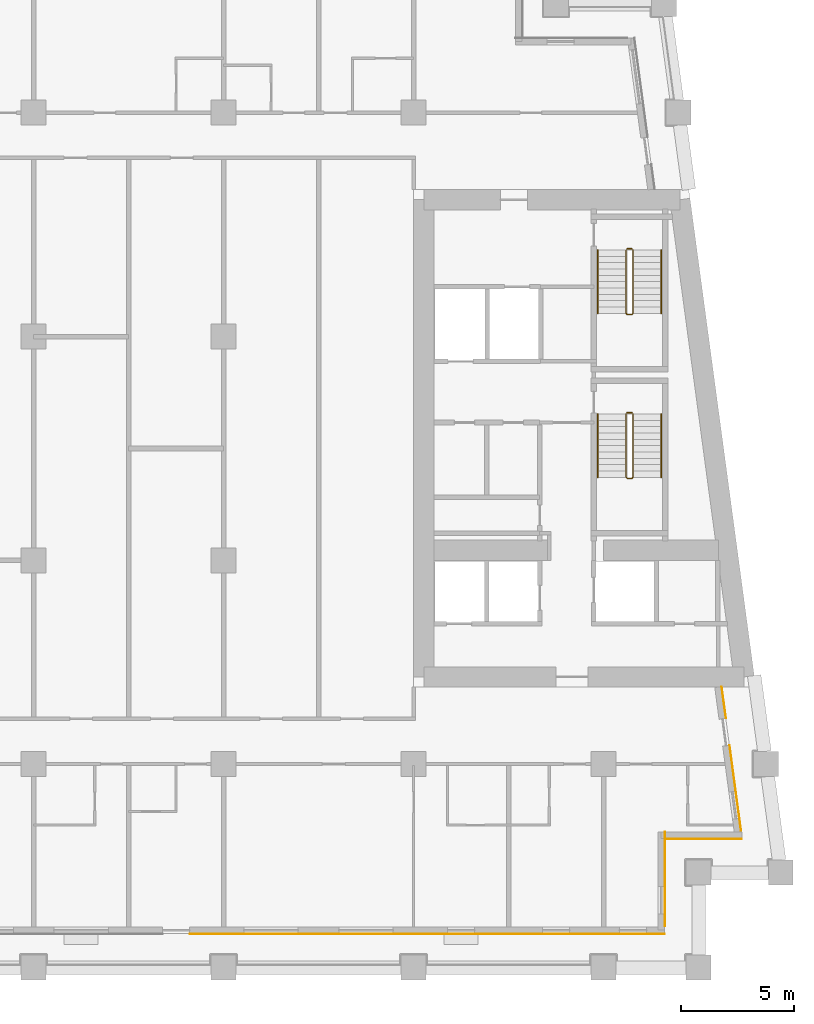
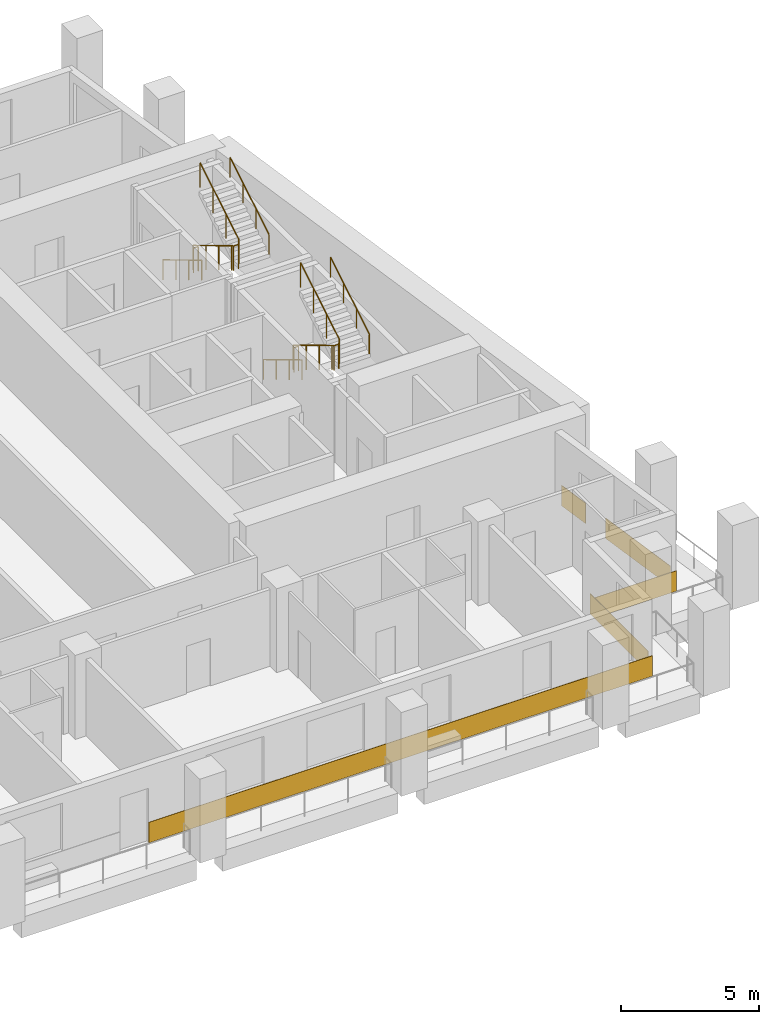
# One storey, part 10 of 12: 8 railings, 5 coverings.
"""IFC4 building model written with IfcOpenShell, lengths in metres."""

from ifc_helpers import new_model, si_unit, direction, frame, origin, origin_2d, place, context, subcontext, project, spatial, rectangle, circle, extrude, material, layer, layer_set, type_object, element, save


model = new_model("IFC4")

# Units and contexts
model_context = context("Model", 3, precision=1e-05, world=origin(), true_north=direction((0.0, 1.0)))
body_context = subcontext(model_context, "Body", "Model", "MODEL_VIEW")
ifc_project = project(units=[si_unit("LENGTHUNIT", "METRE"), si_unit("AREAUNIT", "SQUARE_METRE"), si_unit("VOLUMEUNIT", "CUBIC_METRE"), si_unit("PLANEANGLEUNIT", "RADIAN"), si_unit("MASSUNIT", "GRAM", prefix="KILO")], contexts=[model_context])

# Site, building, storey
site_placement = place(None, origin())
site = spatial("IfcSite", under=ifc_project, at=site_placement, CompositionType="ELEMENT")
building_placement = place(site_placement, origin())
building = spatial("IfcBuilding", under=site, at=building_placement, Name="Candeia Pilgrim Tower and Theatre", CompositionType="ELEMENT")
storey_placement = place(building_placement, frame((0.0, 0.0, 162.60009765625)))
storey = spatial("IfcBuildingStorey", under=building, at=storey_placement, Name="L38", CompositionType="ELEMENT", Elevation=162.60009765625)

# Coverings
ifc_material_1 = material(Name="Glazed ceramic tile rust")
ifc_layer = layer(ifc_material_1, 0.02001953125)
ifc_layer_set = layer_set([ifc_layer], Name="Glazed ceramic tile rust")
covering_type = type_object("IfcCoveringType", Name="Glazed ceramic tile rust", PredefinedType="CLADDING", material=ifc_layer_set)
covering_1_placement = place(storey_placement, frame((126.60009765625, 99.489990234375, 0.0), z_axis=(0.0, 0.0, 1.0), x_axis=(1.0, 0.0, 0.0)))
element("IfcCovering", 1, at=covering_1_placement, inside=storey, type_object=covering_type, Name="Tile cladding rust L38", PredefinedType="CLADDING", context=body_context, shape_type="SweptSolid", body=[
    extrude(rectangle(XDim=21.0, YDim=0.02001953125, at=origin_2d()), origin(), (0.0, 0.0, 1.0), 0.89990234375),
])
covering_2_placement = place(storey_placement, frame((137.110107421875, 101.909912109375, 0.0), z_axis=(0.0, 0.0, 1.0), x_axis=(0.0, 1.0, 0.0)))
element("IfcCovering", 2, at=covering_2_placement, inside=storey, type_object=covering_type, Name="Tile cladding rust L38", PredefinedType="CLADDING", context=body_context, shape_type="SweptSolid", body=[
    extrude(rectangle(XDim=4.179931640625, YDim=0.02001953125, at=origin_2d()), origin(), (0.0, 0.0, 1.0), 0.89990234375),
])
covering_3_placement = place(storey_placement, frame((138.819580078125, 103.68994140625, 0.0), z_axis=(0.0, 0.0, 1.0), x_axis=(1.0, 0.0, 0.0)))
element("IfcCovering", 3, at=covering_3_placement, inside=storey, type_object=covering_type, Name="Tile cladding rust L38", PredefinedType="CLADDING", context=body_context, shape_type="SweptSolid", body=[
    extrude(rectangle(XDim=3.399169921875, YDim=0.02001953125, at=origin_2d()), origin(), (0.0, 0.0, 1.0), 0.89990234375),
])
covering_4_placement = place(storey_placement, frame((140.228515625, 105.933349609375, 0.0), z_axis=(0.0, 0.0, 1.0), x_axis=(-0.133412012145, 0.991060661622, 0.0)))
element("IfcCovering", 4, at=covering_4_placement, inside=storey, type_object=covering_type, Name="Tile cladding rust L38", PredefinedType="CLADDING", context=body_context, shape_type="SweptSolid", body=[
    extrude(rectangle(XDim=3.821044921875, YDim=0.02001953125, at=origin_2d()), origin(), (0.0, 0.0, 1.0), 0.89990234375),
])
covering_5_placement = place(storey_placement, frame((139.718994140625, 109.71875, 0.0), z_axis=(0.0, 0.0, 1.0), x_axis=(-0.133412012145, 0.991060661622, 0.0)))
element("IfcCovering", 5, at=covering_5_placement, inside=storey, type_object=covering_type, Name="Tile cladding rust L38", PredefinedType="CLADDING", context=body_context, shape_type="SweptSolid", body=[
    extrude(rectangle(XDim=1.41796875, YDim=0.02001953125, at=origin_2d()), origin(), (0.0, 0.0, 1.0), 0.89990234375),
])

# Railings
ifc_material_2 = material(Name="Stainless steel balustrade", Category="steel")
railing_type_1 = type_object("IfcRailingType", Name="RL-GUARD-1100", PredefinedType="GUARDRAIL", material=ifc_material_2)
railing_1_placement = place(storey_placement, frame((135.39794921875, 122.47509765625, 0.16796875)))
element("IfcRailing", 6, at=railing_1_placement, inside=storey, type_object=railing_type_1, Name="L38 ST3 stair guard 1", PredefinedType="GUARDRAIL", context=body_context, shape_type="SweptSolid", body=[
    extrude(circle(Radius=0.02392578125, at=origin_2d()), frame((0.0, 0.0, 1.076171875), z_axis=(0.0, -0.857242210791, 0.514913383045), x_axis=(1.0, 0.0, 0.0)), (0.0, 0.0, 1.0), 3.266357421875),
    extrude(circle(Radius=0.02392578125, at=origin_2d()), frame((0.0, -2.800048828125, 2.7578125), z_axis=(0.707106781187, -0.707106781187, 0.0), x_axis=(0.707106781187, 0.707106781187, 0.0)), (0.0, 0.0, 1.0), 0.07080078125),
    extrude(circle(Radius=0.02392578125, at=origin_2d()), frame((0.050048828125, -2.85009765625, 2.7578125), z_axis=(1.0, 0.0, 0.0), x_axis=(0.0, 1.0, 0.0)), (0.0, 0.0, 1.0), 0.199951171875),
    extrude(circle(Radius=0.02392578125, at=origin_2d()), frame((0.25, -2.85009765625, 2.7578125), z_axis=(0.274243871929, 0.274243871929, 0.92172696468), x_axis=(-0.707106781187, 0.707106781187, 0.0)), (0.0, 0.0, 1.0), 0.1826171875),
    extrude(circle(Radius=0.02392578125, at=origin_2d()), frame((0.300048828125, -2.800048828125, 2.92626953125), z_axis=(0.0, 0.857242210791, 0.514913383045), x_axis=(-1.0, 0.0, 0.0)), (0.0, 0.0, 1.0), 3.266357421875),
    extrude(circle(Radius=0.02099609375, at=origin_2d()), origin(), (0.0, 0.0, 1.0), 1.052001953125),
    extrude(circle(Radius=0.02099609375, at=origin_2d()), frame((0.0, -0.933349609375, 0.560546875)), (0.0, 0.0, 1.0), 1.052001953125),
    extrude(circle(Radius=0.02099609375, at=origin_2d()), frame((0.0, -1.86669921875, 1.121337890625)), (0.0, 0.0, 1.0), 1.052001953125),
    extrude(circle(Radius=0.02099609375, at=origin_2d()), frame((0.0, -2.800048828125, 1.681884765625)), (0.0, 0.0, 1.0), 1.052001953125),
    extrude(circle(Radius=0.02099609375, at=origin_2d()), frame((0.050048828125, -2.85009765625, 1.681884765625)), (0.0, 0.0, 1.0), 1.052001953125),
    extrude(circle(Radius=0.02099609375, at=origin_2d()), frame((0.25, -2.85009765625, 1.681884765625)), (0.0, 0.0, 1.0), 1.052001953125),
    extrude(circle(Radius=0.02099609375, at=origin_2d()), frame((0.300048828125, -2.800048828125, 1.85009765625)), (0.0, 0.0, 1.0), 1.052001953125),
    extrude(circle(Radius=0.02099609375, at=origin_2d()), frame((0.300048828125, -1.86669921875, 2.41064453125)), (0.0, 0.0, 1.0), 1.052001953125),
    extrude(circle(Radius=0.02099609375, at=origin_2d()), frame((0.300048828125, -0.933349609375, 2.971435546875)), (0.0, 0.0, 1.0), 1.052001953125),
    extrude(circle(Radius=0.02099609375, at=origin_2d()), frame((0.300048828125, 0.0, 3.531982421875)), (0.0, 0.0, 1.0), 1.052001953125),
])
railing_2_placement = place(storey_placement, frame((135.447998046875, 122.52490234375, 0.0)))
element("IfcRailing", 7, at=railing_2_placement, inside=storey, type_object=railing_type_1, Name="L38 ST3 stair guard 2", PredefinedType="GUARDRAIL", context=body_context, shape_type="SweptSolid", body=[
    extrude(circle(Radius=0.02392578125, at=origin_2d()), frame((0.0, 0.0, 1.076171875), z_axis=(1.0, 0.0, 0.0), x_axis=(0.0, 1.0, 0.0)), (0.0, 0.0, 1.0), 0.199951171875),
    extrude(circle(Radius=0.02099609375, at=origin_2d()), origin(), (0.0, 0.0, 1.0), 1.052001953125),
    extrude(circle(Radius=0.02099609375, at=origin_2d()), frame((0.199951171875, 0.0, 0.0)), (0.0, 0.0, 1.0), 1.052001953125),
])
railing_3_placement = place(storey_placement, frame((135.39794921875, 129.72509765625, 0.16796875)))
element("IfcRailing", 8, at=railing_3_placement, inside=storey, type_object=railing_type_1, Name="L38 ST4 stair guard 1", PredefinedType="GUARDRAIL", context=body_context, shape_type="SweptSolid", body=[
    extrude(circle(Radius=0.02392578125, at=origin_2d()), frame((0.0, 0.0, 1.076171875), z_axis=(0.0, -0.857242210791, 0.514913383045), x_axis=(1.0, 0.0, 0.0)), (0.0, 0.0, 1.0), 3.266357421875),
    extrude(circle(Radius=0.02392578125, at=origin_2d()), frame((0.0, -2.800048828125, 2.7578125), z_axis=(0.707106781187, -0.707106781187, 0.0), x_axis=(0.707106781187, 0.707106781187, 0.0)), (0.0, 0.0, 1.0), 0.07080078125),
    extrude(circle(Radius=0.02392578125, at=origin_2d()), frame((0.050048828125, -2.85009765625, 2.7578125), z_axis=(1.0, 0.0, 0.0), x_axis=(0.0, 1.0, 0.0)), (0.0, 0.0, 1.0), 0.199951171875),
    extrude(circle(Radius=0.02392578125, at=origin_2d()), frame((0.25, -2.85009765625, 2.7578125), z_axis=(0.274243871929, 0.274243871929, 0.92172696468), x_axis=(-0.707106781187, 0.707106781187, 0.0)), (0.0, 0.0, 1.0), 0.1826171875),
    extrude(circle(Radius=0.02392578125, at=origin_2d()), frame((0.300048828125, -2.800048828125, 2.92626953125), z_axis=(0.0, 0.857242210791, 0.514913383045), x_axis=(-1.0, 0.0, 0.0)), (0.0, 0.0, 1.0), 3.266357421875),
    extrude(circle(Radius=0.02099609375, at=origin_2d()), origin(), (0.0, 0.0, 1.0), 1.052001953125),
    extrude(circle(Radius=0.02099609375, at=origin_2d()), frame((0.0, -0.933349609375, 0.560546875)), (0.0, 0.0, 1.0), 1.052001953125),
    extrude(circle(Radius=0.02099609375, at=origin_2d()), frame((0.0, -1.86669921875, 1.121337890625)), (0.0, 0.0, 1.0), 1.052001953125),
    extrude(circle(Radius=0.02099609375, at=origin_2d()), frame((0.0, -2.800048828125, 1.681884765625)), (0.0, 0.0, 1.0), 1.052001953125),
    extrude(circle(Radius=0.02099609375, at=origin_2d()), frame((0.050048828125, -2.85009765625, 1.681884765625)), (0.0, 0.0, 1.0), 1.052001953125),
    extrude(circle(Radius=0.02099609375, at=origin_2d()), frame((0.25, -2.85009765625, 1.681884765625)), (0.0, 0.0, 1.0), 1.052001953125),
    extrude(circle(Radius=0.02099609375, at=origin_2d()), frame((0.300048828125, -2.800048828125, 1.85009765625)), (0.0, 0.0, 1.0), 1.052001953125),
    extrude(circle(Radius=0.02099609375, at=origin_2d()), frame((0.300048828125, -1.86669921875, 2.41064453125)), (0.0, 0.0, 1.0), 1.052001953125),
    extrude(circle(Radius=0.02099609375, at=origin_2d()), frame((0.300048828125, -0.933349609375, 2.971435546875)), (0.0, 0.0, 1.0), 1.052001953125),
    extrude(circle(Radius=0.02099609375, at=origin_2d()), frame((0.300048828125, 0.0, 3.531982421875)), (0.0, 0.0, 1.0), 1.052001953125),
])
railing_4_placement = place(storey_placement, frame((135.447998046875, 129.77490234375, 0.0)))
element("IfcRailing", 9, at=railing_4_placement, inside=storey, type_object=railing_type_1, Name="L38 ST4 stair guard 2", PredefinedType="GUARDRAIL", context=body_context, shape_type="SweptSolid", body=[
    extrude(circle(Radius=0.02392578125, at=origin_2d()), frame((0.0, 0.0, 1.076171875), z_axis=(1.0, 0.0, 0.0), x_axis=(0.0, 1.0, 0.0)), (0.0, 0.0, 1.0), 0.199951171875),
    extrude(circle(Radius=0.02099609375, at=origin_2d()), origin(), (0.0, 0.0, 1.0), 1.052001953125),
    extrude(circle(Radius=0.02099609375, at=origin_2d()), frame((0.199951171875, 0.0, 0.0)), (0.0, 0.0, 1.0), 1.052001953125),
])
ifc_material_3 = material(Name="Stainless steel handrail", Category="steel")
railing_type_2 = type_object("IfcRailingType", Name="RL-HANDRAIL-900", PredefinedType="HANDRAIL", material=ifc_material_3)
railing_5_placement = place(storey_placement, frame((134.14794921875, 122.47509765625, 0.16796875)))
element("IfcRailing", 10, at=railing_5_placement, inside=storey, type_object=railing_type_2, Name="L38 ST3 stair handrail 1", PredefinedType="HANDRAIL", context=body_context, shape_type="SweptSolid", body=[
    extrude(circle(Radius=0.02392578125, at=origin_2d()), frame((0.0, 0.0, 0.8759765625), z_axis=(0.0, -0.857242210791, 0.514913383045), x_axis=(1.0, 0.0, 0.0)), (0.0, 0.0, 1.0), 3.266357421875),
    extrude(circle(Radius=0.02099609375, at=origin_2d()), origin(), (0.0, 0.0, 1.0), 0.851806640625),
    extrude(circle(Radius=0.02099609375, at=origin_2d()), frame((0.0, -0.933349609375, 0.560546875)), (0.0, 0.0, 1.0), 0.851806640625),
    extrude(circle(Radius=0.02099609375, at=origin_2d()), frame((0.0, -1.86669921875, 1.121337890625)), (0.0, 0.0, 1.0), 0.851806640625),
    extrude(circle(Radius=0.02099609375, at=origin_2d()), frame((0.0, -2.800048828125, 1.681884765625)), (0.0, 0.0, 1.0), 0.851806640625),
])
railing_6_placement = place(storey_placement, frame((136.947998046875, 119.675048828125, 2.01806640625)))
element("IfcRailing", 11, at=railing_6_placement, inside=storey, type_object=railing_type_2, Name="L38 ST3 stair handrail 2", PredefinedType="HANDRAIL", context=body_context, shape_type="SweptSolid", body=[
    extrude(circle(Radius=0.02392578125, at=origin_2d()), frame((0.0, 0.0, 0.8759765625), z_axis=(0.0, 0.857242210791, 0.514913383045), x_axis=(-1.0, 0.0, 0.0)), (0.0, 0.0, 1.0), 3.266357421875),
    extrude(circle(Radius=0.02099609375, at=origin_2d()), origin(), (0.0, 0.0, 1.0), 0.851806640625),
    extrude(circle(Radius=0.02099609375, at=origin_2d()), frame((0.0, 0.933349609375, 0.560546875)), (0.0, 0.0, 1.0), 0.851806640625),
    extrude(circle(Radius=0.02099609375, at=origin_2d()), frame((0.0, 1.86669921875, 1.121337890625)), (0.0, 0.0, 1.0), 0.851806640625),
    extrude(circle(Radius=0.02099609375, at=origin_2d()), frame((0.0, 2.800048828125, 1.681884765625)), (0.0, 0.0, 1.0), 0.851806640625),
])
railing_7_placement = place(storey_placement, frame((134.14794921875, 129.72509765625, 0.16796875)))
element("IfcRailing", 12, at=railing_7_placement, inside=storey, type_object=railing_type_2, Name="L38 ST4 stair handrail 1", PredefinedType="HANDRAIL", context=body_context, shape_type="SweptSolid", body=[
    extrude(circle(Radius=0.02392578125, at=origin_2d()), frame((0.0, 0.0, 0.8759765625), z_axis=(0.0, -0.857242210791, 0.514913383045), x_axis=(1.0, 0.0, 0.0)), (0.0, 0.0, 1.0), 3.266357421875),
    extrude(circle(Radius=0.02099609375, at=origin_2d()), origin(), (0.0, 0.0, 1.0), 0.851806640625),
    extrude(circle(Radius=0.02099609375, at=origin_2d()), frame((0.0, -0.933349609375, 0.560546875)), (0.0, 0.0, 1.0), 0.851806640625),
    extrude(circle(Radius=0.02099609375, at=origin_2d()), frame((0.0, -1.86669921875, 1.121337890625)), (0.0, 0.0, 1.0), 0.851806640625),
    extrude(circle(Radius=0.02099609375, at=origin_2d()), frame((0.0, -2.800048828125, 1.681884765625)), (0.0, 0.0, 1.0), 0.851806640625),
])
railing_8_placement = place(storey_placement, frame((136.947998046875, 126.925048828125, 2.01806640625)))
element("IfcRailing", 13, at=railing_8_placement, inside=storey, type_object=railing_type_2, Name="L38 ST4 stair handrail 2", PredefinedType="HANDRAIL", context=body_context, shape_type="SweptSolid", body=[
    extrude(circle(Radius=0.02392578125, at=origin_2d()), frame((0.0, 0.0, 0.8759765625), z_axis=(0.0, 0.857242210791, 0.514913383045), x_axis=(-1.0, 0.0, 0.0)), (0.0, 0.0, 1.0), 3.266357421875),
    extrude(circle(Radius=0.02099609375, at=origin_2d()), origin(), (0.0, 0.0, 1.0), 0.851806640625),
    extrude(circle(Radius=0.02099609375, at=origin_2d()), frame((0.0, 0.933349609375, 0.560546875)), (0.0, 0.0, 1.0), 0.851806640625),
    extrude(circle(Radius=0.02099609375, at=origin_2d()), frame((0.0, 1.86669921875, 1.121337890625)), (0.0, 0.0, 1.0), 0.851806640625),
    extrude(circle(Radius=0.02099609375, at=origin_2d()), frame((0.0, 2.800048828125, 1.681884765625)), (0.0, 0.0, 1.0), 0.851806640625),
])

save(model, "model.ifc")
